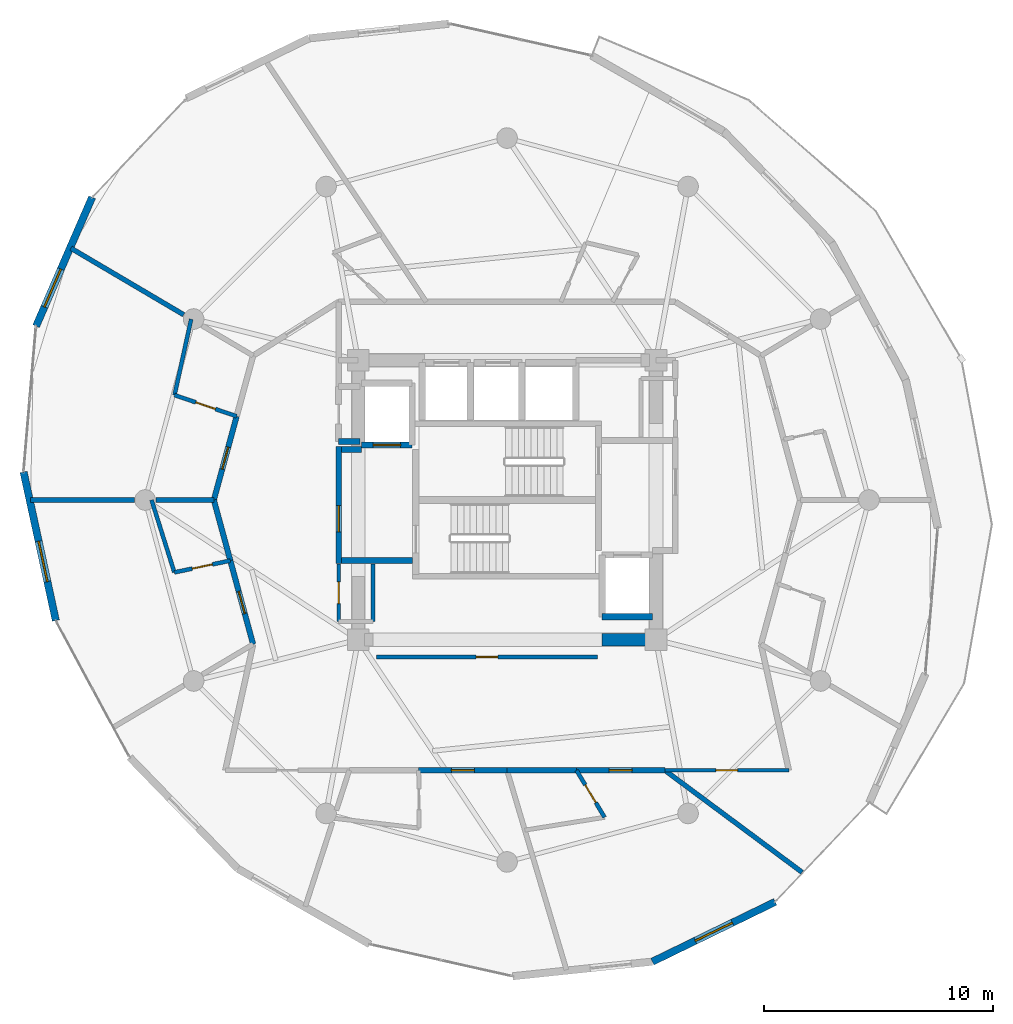
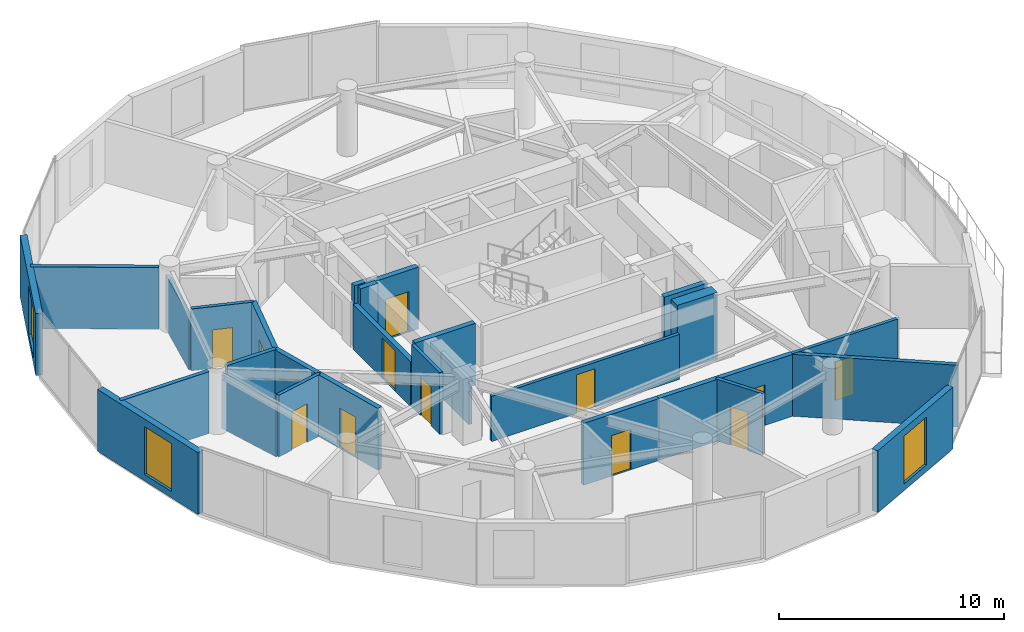
# One storey, part 18 of 23: 29 walls, 12 doors, 3 windows, 15 openings.
"""IFC4 building model written with IfcOpenShell, lengths in metres."""

from ifc_helpers import new_model, si_unit, direction, frame, frame_2d, origin, place, context, subcontext, project, spatial, rectangle, extrude, material, layer, layer_set, type_object, element, fill, save


model = new_model("IFC4")

# Units and contexts
model_context = context("Model", 3, precision=1e-05, world=origin(), true_north=direction((0.0, 1.0)))
body_context = subcontext(model_context, "Body", "Model", "MODEL_VIEW")
ifc_project = project(units=[si_unit("LENGTHUNIT", "METRE"), si_unit("AREAUNIT", "SQUARE_METRE"), si_unit("VOLUMEUNIT", "CUBIC_METRE"), si_unit("PLANEANGLEUNIT", "RADIAN"), si_unit("MASSUNIT", "GRAM", prefix="KILO")], contexts=[model_context])

# Site, building, storey
site_placement = place(None, origin())
site = spatial("IfcSite", under=ifc_project, at=site_placement, CompositionType="ELEMENT")
building_placement = place(site_placement, origin())
building = spatial("IfcBuilding", under=site, at=building_placement, Name="Solvirekh Grand Hotel", CompositionType="ELEMENT")
storey_placement = place(building_placement, frame((0.0, 0.0, 180.39990234375)))
storey = spatial("IfcBuildingStorey", under=building, at=storey_placement, Name="L46", CompositionType="ELEMENT", Elevation=180.39990234375)

# Wall, opening, door
ifc_material_1 = material(Name="Concrete C40/50", Category="concrete")
ifc_layer_1 = layer(ifc_material_1, 0.280029296875)
ifc_layer_set_1 = layer_set([ifc_layer_1], Name="Concrete C40/50")
wall_type_1 = type_object("IfcWallType", Name="CoreShaftWall_RC280", PredefinedType="SOLIDWALL", material=ifc_layer_set_1)
wall_1_placement = place(storey_placement, frame((-6.35009765625, 2.39990234375, 0.0), z_axis=(0.0, 0.0, 1.0), x_axis=(1.0, 0.0, 0.0)))
wall_1 = element("IfcWall", 1, at=wall_1_placement, inside=storey, type_object=wall_type_1, Name="L46 FL-1 hoistway S wall", PredefinedType="SOLIDWALL", context=body_context, shape_type="SweptSolid", body=[
    extrude(rectangle(XDim=2.2001953125, YDim=0.280029296875, at=frame_2d((1.10009765625, 0.0))), origin(), (0.0, 0.0, 1.0), 3.360107421875),
])
opening_1_placement = place(wall_1_placement, frame((0.5, 0.0, 0.0)))
opening_1 = element("IfcOpeningElement", 2, at=opening_1_placement, cuts=wall_1, Name="Opening LD02", PredefinedType="OPENING", context=body_context, shape_type="SweptSolid", body=[
    extrude(rectangle(XDim=1.199951171875, YDim=2.199951171875, at=frame_2d((0.60009765625, 1.10009765625))), frame((0.0, 0.14990234375, 0.0), z_axis=(0.0, -1.0, 0.0), x_axis=(1.0, 0.0, 0.0)), (0.0, 0.0, 1.0), 0.300048828125),
])
ifc_material_2 = material(Name="Fire-Rated Steel Door Assembly", Category="steel")
door_type_1 = type_object("IfcDoorType", Name="Door_LiftFF_1200X2200", OperationType="SLIDING_TO_LEFT", PredefinedType="DOOR", material=ifc_material_2)
door_1_placement = place(opening_1_placement, origin())
door_1 = element("IfcDoor", 3, at=door_1_placement, inside=storey, type_object=door_type_1, Name="L46 FL-1 sliding lift landing door", OperationType="SLIDING_TO_LEFT", OverallHeight=2.199951171875, OverallWidth=1.199951171875, PredefinedType="DOOR", context=body_context, shape_type="SweptSolid", body=[
    extrude(rectangle(XDim=1.199951171875, YDim=2.199951171875, at=frame_2d((0.60009765625, 1.10009765625))), frame((0.0, 0.02490234375, 0.0), z_axis=(0.0, -1.0, 0.0), x_axis=(1.0, 0.0, 0.0)), (0.0, 0.0, 1.0), 0.050048828125),
])
fill(opening_1, door_1)

# Walls
wall_2_placement = place(storey_placement, frame((4.14990234375, -5.10009765625, 0.0), z_axis=(0.0, 0.0, 1.0), x_axis=(1.0, 0.0, 0.0)))
element("IfcWall", 4, at=wall_2_placement, inside=storey, type_object=wall_type_1, Name="L46 FL-2 hoistway S wall", PredefinedType="SOLIDWALL", context=body_context, shape_type="SweptSolid", body=[
    extrude(rectangle(XDim=2.2001953125, YDim=0.280029296875, at=frame_2d((1.10009765625, 0.0))), origin(), (0.0, 0.0, 1.0), 3.360107421875),
])
ifc_material_3 = material(Name="Concrete C50/60", Category="concrete")
ifc_layer_2 = layer(ifc_material_3, 0.550048828125)
ifc_layer_set_2 = layer_set([ifc_layer_2], Name="Concrete C50/60")
wall_type_2 = type_object("IfcWallType", Name="CoreWall_RC550", PredefinedType="SHEAR", material=ifc_layer_set_2)
wall_3_placement = place(storey_placement, frame((4.14990234375, -6.10009765625, 0.0), z_axis=(0.0, 0.0, 1.0), x_axis=(1.0, 0.0, 0.0)))
element("IfcWall", 5, at=wall_3_placement, inside=storey, type_object=wall_type_2, Name="L46 core corner shear wall SE-S", PredefinedType="SHEAR", context=body_context, shape_type="SweptSolid", body=[
    extrude(rectangle(XDim=2.0751953125, YDim=0.550048828125, at=frame_2d((1.03759765625, 0.0))), origin(), (0.0, 0.0, 1.0), 3.60009765625),
])

# Wall, opening, window
ifc_material_4 = material(Name="Precast concrete C45/55", Category="concrete")
ifc_layer_3 = layer(ifc_material_4, 0.320068359375)
ifc_layer_set_3 = layer_set([ifc_layer_3], Name="Precast concrete C45/55")
wall_type_3 = type_object("IfcWallType", Name="ExtLobbyWall_RC320", PredefinedType="SOLIDWALL", material=ifc_layer_set_3)
wall_4_placement = place(storey_placement, frame((-20.56005859375, 7.590087890625, 0.0), z_axis=(0.0, 0.0, 1.0), x_axis=(0.398911001453, 0.916989647117, 0.0)))
wall_4 = element("IfcWall", 6, at=wall_4_placement, inside=storey, type_object=wall_type_3, Name="L46 exterior structural wall chord 12", PredefinedType="SOLIDWALL", context=body_context, shape_type="SweptSolid", body=[
    extrude(rectangle(XDim=6.1318359375, YDim=0.320068359375, at=frame_2d((3.06591796875, 0.0))), origin(), (0.0, 0.0, 1.0), 3.360107421875),
])
opening_2_placement = place(wall_4_placement, frame((0.9130859375, 0.0, 0.35009765625)))
opening_2 = element("IfcOpeningElement", 7, at=opening_2_placement, cuts=wall_4, Name="Opening W02", PredefinedType="OPENING", context=body_context, shape_type="SweptSolid", body=[
    extrude(rectangle(XDim=1.800048828125, YDim=2.60009765625, at=frame_2d((0.89990234375, 1.300048828125))), frame((0.0, 0.169921875, 0.0), z_axis=(0.0, -1.0, 0.0), x_axis=(1.0, 0.0, 0.0)), (0.0, 0.0, 1.0), 0.340087890625),
])
ifc_material_5 = material(Name="Low-E Tinted Bronze Laminated Glass", Category="aluminium")
window_type = type_object("IfcWindowType", Name="Win_LobbyExt_1800X2600", PartitioningType="SINGLE_PANEL", PredefinedType="WINDOW", material=ifc_material_5)
window_1_placement = place(opening_2_placement, origin())
window_1 = element("IfcWindow", 8, at=window_1_placement, inside=storey, type_object=window_type, Name="L46 panoramic bronze-framed window 12", OverallHeight=2.60009765625, OverallWidth=1.800048828125, PartitioningType="SINGLE_PANEL", PredefinedType="WINDOW", context=body_context, shape_type="SweptSolid", body=[
    extrude(rectangle(XDim=1.800048828125, YDim=2.60009765625, at=frame_2d((0.89990234375, 1.300048828125))), frame((0.0, 0.030029296875, 0.0), z_axis=(0.0, -1.0, 0.0), x_axis=(1.0, 0.0, 0.0)), (0.0, 0.0, 1.0), 0.06005859375),
])
fill(opening_2, window_1)

wall_5_placement = place(storey_placement, frame((-19.697998046875, -5.261962890625, 0.0), z_axis=(0.0, 0.0, 1.0), x_axis=(-0.211992849193, 0.977271217161, 0.0)))
wall_5 = element("IfcWall", 9, at=wall_5_placement, inside=storey, type_object=wall_type_3, Name="L46 exterior structural wall chord 14", PredefinedType="SOLIDWALL", context=body_context, shape_type="SweptSolid", body=[
    extrude(rectangle(XDim=6.636962890625, YDim=0.320068359375, at=frame_2d((3.318359375, 0.0))), origin(), (0.0, 0.0, 1.0), 3.360107421875),
])
opening_3_placement = place(wall_5_placement, frame((1.738037109375, 0.0, 0.35009765625)))
opening_3 = element("IfcOpeningElement", 10, at=opening_3_placement, cuts=wall_5, Name="Opening W02", PredefinedType="OPENING", context=body_context, shape_type="SweptSolid", body=[
    extrude(rectangle(XDim=1.800048828125, YDim=2.60009765625, at=frame_2d((0.89990234375, 1.300048828125))), frame((0.0, 0.169921875, 0.0), z_axis=(0.0, -1.0, 0.0), x_axis=(1.0, 0.0, 0.0)), (0.0, 0.0, 1.0), 0.340087890625),
])
window_2_placement = place(opening_3_placement, origin())
window_2 = element("IfcWindow", 11, at=window_2_placement, inside=storey, type_object=window_type, Name="L46 panoramic bronze-framed window 14", OverallHeight=2.60009765625, OverallWidth=1.800048828125, PartitioningType="SINGLE_PANEL", PredefinedType="WINDOW", context=body_context, shape_type="SweptSolid", body=[
    extrude(rectangle(XDim=1.800048828125, YDim=2.60009765625, at=frame_2d((0.89990234375, 1.300048828125))), frame((0.0, 0.030029296875, 0.0), z_axis=(0.0, -1.0, 0.0), x_axis=(1.0, 0.0, 0.0)), (0.0, 0.0, 1.0), 0.06005859375),
])
fill(opening_3, window_2)

wall_6_placement = place(storey_placement, frame((11.7080078125, -17.5419921875, 0.0), z_axis=(0.0, 0.0, 1.0), x_axis=(-0.899034471399, -0.437877858811, 0.0)))
wall_6 = element("IfcWall", 12, at=wall_6_placement, inside=storey, type_object=wall_type_3, Name="L46 exterior structural wall chord 20", PredefinedType="SOLIDWALL", context=body_context, shape_type="SweptSolid", body=[
    extrude(rectangle(XDim=5.967529296875, YDim=0.320068359375, at=frame_2d((2.98388671875, 0.0))), origin(), (0.0, 0.0, 1.0), 3.360107421875),
])
opening_4_placement = place(wall_6_placement, frame((2.083984375, 0.0, 0.35009765625)))
opening_4 = element("IfcOpeningElement", 13, at=opening_4_placement, cuts=wall_6, Name="Opening W02", PredefinedType="OPENING", context=body_context, shape_type="SweptSolid", body=[
    extrude(rectangle(XDim=1.800048828125, YDim=2.60009765625, at=frame_2d((0.89990234375, 1.300048828125))), frame((0.0, 0.169921875, 0.0), z_axis=(0.0, -1.0, 0.0), x_axis=(1.0, 0.0, 0.0)), (0.0, 0.0, 1.0), 0.340087890625),
])
window_3_placement = place(opening_4_placement, origin())
window_3 = element("IfcWindow", 14, at=window_3_placement, inside=storey, type_object=window_type, Name="L46 panoramic bronze-framed window 20", OverallHeight=2.60009765625, OverallWidth=1.800048828125, PartitioningType="SINGLE_PANEL", PredefinedType="WINDOW", context=body_context, shape_type="SweptSolid", body=[
    extrude(rectangle(XDim=1.800048828125, YDim=2.60009765625, at=frame_2d((0.89990234375, 1.300048828125))), frame((0.0, 0.030029296875, 0.0), z_axis=(0.0, -1.0, 0.0), x_axis=(1.0, 0.0, 0.0)), (0.0, 0.0, 1.0), 0.06005859375),
])
fill(opening_4, window_3)

# Wall
ifc_material_6 = material(Name="Acoustic Gypsum Partition Assembly")
ifc_layer_4 = layer(ifc_material_6, 0.1650390625)
ifc_layer_set_4 = layer_set([ifc_layer_4], Name="Acoustic Gypsum Partition Assembly")
wall_type_4 = type_object("IfcWallType", Name="Part_BOH_165", PredefinedType="PARTITIONING", material=ifc_layer_set_4)
wall_7_placement = place(storey_placement, frame((-5.85009765625, -5.300048828125, 0.0), z_axis=(0.0, 0.0, 1.0), x_axis=(0.0, 1.0, 0.0)))
element("IfcWall", 15, at=wall_7_placement, inside=storey, type_object=wall_type_4, Name="L46 L46 Core Linen Store wall 2", PredefinedType="PARTITIONING", context=body_context, shape_type="SweptSolid", body=[
    extrude(rectangle(XDim=2.5, YDim=0.1650390625, at=frame_2d((1.25, 0.0))), origin(), (0.0, 0.0, 1.0), 2.445068359375),
])

# Wall, opening, door
wall_8_placement = place(storey_placement, frame((-7.35009765625, -2.800048828125, 0.0), z_axis=(0.0, 0.0, 1.0), x_axis=(0.0, -1.0, 0.0)))
wall_8 = element("IfcWall", 16, at=wall_8_placement, inside=storey, type_object=wall_type_4, Name="L46 L46 Core Linen Store wall 4", PredefinedType="PARTITIONING", context=body_context, shape_type="SweptSolid", body=[
    extrude(rectangle(XDim=2.5, YDim=0.1650390625, at=frame_2d((1.25, 0.0))), origin(), (0.0, 0.0, 1.0), 3.360107421875),
])
opening_5_placement = place(wall_8_placement, frame((0.77490234375, 0.0, 0.0)))
opening_5 = element("IfcOpeningElement", 17, at=opening_5_placement, cuts=wall_8, Name="Opening D10", PredefinedType="OPENING", context=body_context, shape_type="SweptSolid", body=[
    extrude(rectangle(XDim=0.949951171875, YDim=2.10009765625, at=frame_2d((0.47509765625, 1.050048828125))), frame((0.0, 0.092529296875, 0.0), z_axis=(0.0, -1.0, 0.0), x_axis=(1.0, 0.0, 0.0)), (0.0, 0.0, 1.0), 0.18505859375),
])
ifc_material_7 = material(Name="Anodized Bronze Aluminium 6063-T6", Category="aluminium")
door_type_2 = type_object("IfcDoorType", Name="Door_RoomInt_950X2100", OperationType="NOTDEFINED", PredefinedType="DOOR", material=ifc_material_7)
door_2_placement = place(opening_5_placement, origin())
door_2 = element("IfcDoor", 18, at=door_2_placement, inside=storey, type_object=door_type_2, Name="L46 L46 Core Linen Store door", OperationType="SINGLE_SWING_RIGHT", OverallHeight=2.10009765625, OverallWidth=0.949951171875, PredefinedType="DOOR", context=body_context, shape_type="SweptSolid", body=[
    extrude(rectangle(XDim=0.949951171875, YDim=2.10009765625, at=frame_2d((0.47509765625, 1.050048828125))), frame((0.0, 0.02490234375, 0.0), z_axis=(0.0, -1.0, 0.0), x_axis=(1.0, 0.0, 0.0)), (0.0, 0.0, 1.0), 0.050048828125),
])
fill(opening_5, door_2)

wall_9_placement = place(storey_placement, frame((-5.699951171875, -6.85009765625, 0.0), z_axis=(0.0, 0.0, 1.0), x_axis=(1.0, 0.0, 0.0)))
wall_9 = element("IfcWall", 19, at=wall_9_placement, inside=storey, type_object=wall_type_4, Name="L46 Housekeeping & Linen Store wall 1", PredefinedType="PARTITIONING", context=body_context, shape_type="SweptSolid", body=[
    extrude(rectangle(XDim=9.64990234375, YDim=0.1650390625, at=frame_2d((4.824951171875, 0.0))), origin(), (0.0, 0.0, 1.0), 2.445068359375),
])
opening_6_placement = place(wall_9_placement, frame((4.35009765625, 0.0, 0.0)))
opening_6 = element("IfcOpeningElement", 20, at=opening_6_placement, cuts=wall_9, Name="Opening D10", PredefinedType="OPENING", context=body_context, shape_type="SweptSolid", body=[
    extrude(rectangle(XDim=0.949951171875, YDim=2.10009765625, at=frame_2d((0.47509765625, 1.050048828125))), frame((0.0, 0.092529296875, 0.0), z_axis=(0.0, -1.0, 0.0), x_axis=(1.0, 0.0, 0.0)), (0.0, 0.0, 1.0), 0.18505859375),
])
door_3_placement = place(opening_6_placement, origin())
door_3 = element("IfcDoor", 21, at=door_3_placement, inside=storey, type_object=door_type_2, Name="L46 Housekeeping & Linen Store door", OperationType="SINGLE_SWING_RIGHT", OverallHeight=2.10009765625, OverallWidth=0.949951171875, PredefinedType="DOOR", context=body_context, shape_type="SweptSolid", body=[
    extrude(rectangle(XDim=0.949951171875, YDim=2.10009765625, at=frame_2d((0.47509765625, 1.050048828125))), frame((0.0, 0.02490234375, 0.0), z_axis=(0.0, -1.0, 0.0), x_axis=(1.0, 0.0, 0.0)), (0.0, 0.0, 1.0), 0.050048828125),
])
fill(opening_6, door_3)

wall_10_placement = place(storey_placement, frame((6.887939453125, -11.800048828125, 0.0), z_axis=(0.0, 0.0, 1.0), x_axis=(1.0, 0.0, 0.0)))
wall_10 = element("IfcWall", 22, at=wall_10_placement, inside=storey, type_object=wall_type_4, Name="L46 L46 Butler Valet & Linen Steward Room entrance wall", PredefinedType="PARTITIONING", context=body_context, shape_type="SweptSolid", body=[
    extrude(rectangle(XDim=5.412109375, YDim=0.1650390625, at=frame_2d((2.7060546875, 0.0))), origin(), (0.0, 0.0, 1.0), 3.360107421875),
])
opening_7_placement = place(wall_10_placement, frame((2.23095703125, 0.0, 0.0)))
opening_7 = element("IfcOpeningElement", 23, at=opening_7_placement, cuts=wall_10, Name="Opening D10", PredefinedType="OPENING", context=body_context, shape_type="SweptSolid", body=[
    extrude(rectangle(XDim=0.949951171875, YDim=2.10009765625, at=frame_2d((0.47509765625, 1.050048828125))), frame((0.0, 0.092529296875, 0.0), z_axis=(0.0, -1.0, 0.0), x_axis=(1.0, 0.0, 0.0)), (0.0, 0.0, 1.0), 0.18505859375),
])
door_4_placement = place(opening_7_placement, origin())
door_4 = element("IfcDoor", 24, at=door_4_placement, inside=storey, type_object=door_type_2, Name="L46 L46 Butler Valet & Linen Steward Room entrance door", OperationType="SINGLE_SWING_LEFT", OverallHeight=2.10009765625, OverallWidth=0.949951171875, PredefinedType="DOOR", context=body_context, shape_type="SweptSolid", body=[
    extrude(rectangle(XDim=0.949951171875, YDim=2.10009765625, at=frame_2d((0.47509765625, 1.050048828125))), frame((0.0, 0.02490234375, 0.0), z_axis=(0.0, -1.0, 0.0), x_axis=(1.0, 0.0, 0.0)), (0.0, 0.0, 1.0), 0.050048828125),
])
fill(opening_7, door_4)

ifc_layer_5 = layer(ifc_material_6, 0.239990234375)
ifc_layer_set_5 = layer_set([ifc_layer_5], Name="Acoustic Gypsum Partition Assembly")
wall_type_5 = type_object("IfcWallType", Name="Part_Corridor_240", PredefinedType="PARTITIONING", material=ifc_layer_set_5)
wall_11_placement = place(storey_placement, frame((-7.35009765625, -2.780029296875, 0.0), z_axis=(0.0, 0.0, 1.0), x_axis=(0.0, 1.0, 0.0)))
wall_11 = element("IfcWall", 25, at=wall_11_placement, inside=storey, type_object=wall_type_5, Name="L46 west firefighting lobby smoke screen wall", PredefinedType="PARTITIONING", context=body_context, shape_type="SweptSolid", body=[
    extrude(rectangle(XDim=5.1201171875, YDim=0.239990234375, at=frame_2d((2.56005859375, 0.0))), origin(), (0.0, 0.0, 1.0), 2.445068359375),
])
opening_8_placement = place(wall_11_placement, frame((1.388916015625, 0.0, 0.0)))
opening_8 = element("IfcOpeningElement", 26, at=opening_8_placement, cuts=wall_11, Name="Opening D06", PredefinedType="OPENING", context=body_context, shape_type="SweptSolid", body=[
    extrude(rectangle(XDim=1.14990234375, YDim=2.199951171875, at=frame_2d((0.574951171875, 1.10009765625))), frame((0.0, 0.1298828125, 0.0), z_axis=(0.0, -1.0, 0.0), x_axis=(1.0, 0.0, 0.0)), (0.0, 0.0, 1.0), 0.260009765625),
])
door_type_3 = type_object("IfcDoorType", Name="Door_FFLobby_1150X2200", OperationType="NOTDEFINED", PredefinedType="DOOR", material=ifc_material_2)
door_5_placement = place(opening_8_placement, origin())
door_5 = element("IfcDoor", 27, at=door_5_placement, inside=storey, type_object=door_type_3, Name="L46 west firefighting lobby smoke door", OperationType="SINGLE_SWING_LEFT", OverallHeight=2.199951171875, OverallWidth=1.14990234375, PredefinedType="DOOR", context=body_context, shape_type="SweptSolid", body=[
    extrude(rectangle(XDim=1.14990234375, YDim=2.199951171875, at=frame_2d((0.574951171875, 1.10009765625))), frame((0.0, 0.02490234375, 0.0), z_axis=(0.0, -1.0, 0.0), x_axis=(1.0, 0.0, 0.0)), (0.0, 0.0, 1.0), 0.050048828125),
])
fill(opening_8, door_5)

wall_12_placement = place(storey_placement, frame((-11.804931640625, 3.654052734375, 0.0), z_axis=(0.0, 0.0, 1.0), x_axis=(-0.262762825819, -0.964860454868, 0.0)))
wall_12 = element("IfcWall", 28, at=wall_12_placement, inside=storey, type_object=wall_type_5, Name="L46 Deluxe Guestroom 4803 entrance wall", PredefinedType="PARTITIONING", context=body_context, shape_type="SweptSolid", body=[
    extrude(rectangle(XDim=3.787109375, YDim=0.239990234375, at=frame_2d((1.8935546875, 0.0))), origin(), (0.0, 0.0, 1.0), 3.360107421875),
])
opening_9_placement = place(wall_12_placement, frame((1.39404296875, 0.0, 0.0)))
opening_9 = element("IfcOpeningElement", 29, at=opening_9_placement, cuts=wall_12, Name="Opening D07", PredefinedType="OPENING", context=body_context, shape_type="SweptSolid", body=[
    extrude(rectangle(XDim=1.0, YDim=2.199951171875, at=frame_2d((0.5, 1.10009765625))), frame((0.0, 0.1298828125, 0.0), z_axis=(0.0, -1.0, 0.0), x_axis=(1.0, 0.0, 0.0)), (0.0, 0.0, 1.0), 0.260009765625),
])
door_type_4 = type_object("IfcDoorType", Name="Door_GuestEntry_1000X2200", OperationType="NOTDEFINED", PredefinedType="DOOR", material=ifc_material_2)
door_6_placement = place(opening_9_placement, origin())
door_6 = element("IfcDoor", 30, at=door_6_placement, inside=storey, type_object=door_type_4, Name="L46 Deluxe Guestroom 4803 entrance door", OperationType="SINGLE_SWING_LEFT", OverallHeight=2.199951171875, OverallWidth=1.0, PredefinedType="DOOR", context=body_context, shape_type="SweptSolid", body=[
    extrude(rectangle(XDim=1.0, YDim=2.199951171875, at=frame_2d((0.5, 1.10009765625))), frame((0.0, 0.02490234375, 0.0), z_axis=(0.0, -1.0, 0.0), x_axis=(1.0, 0.0, 0.0)), (0.0, 0.0, 1.0), 0.050048828125),
])
fill(opening_9, door_6)

# Wall
wall_13_placement = place(storey_placement, frame((-12.800048828125, 0.0, 0.0), z_axis=(0.0, 0.0, 1.0), x_axis=(0.262552356383, -0.964917747872, 0.0)))
element("IfcWall", 31, at=wall_13_placement, inside=storey, type_object=wall_type_5, Name="L46 En-suite Bathroom 4804 corridor backing wall", PredefinedType="PARTITIONING", context=body_context, shape_type="SweptSolid", body=[
    extrude(rectangle(XDim=2.7421875, YDim=0.239990234375, at=frame_2d((1.37109375, 0.0))), origin(), (0.0, 0.0, 1.0), 3.360107421875),
])

# Wall, opening, door
wall_14_placement = place(storey_placement, frame((-12.080078125, -2.64599609375, 0.0), z_axis=(0.0, 0.0, 1.0), x_axis=(0.262762825819, -0.964860454868, 0.0)))
wall_14 = element("IfcWall", 32, at=wall_14_placement, inside=storey, type_object=wall_type_5, Name="L46 Deluxe Guestroom 4804 entrance wall", PredefinedType="PARTITIONING", context=body_context, shape_type="SweptSolid", body=[
    extrude(rectangle(XDim=3.787109375, YDim=0.239990234375, at=frame_2d((1.8935546875, 0.0))), origin(), (0.0, 0.0, 1.0), 3.360107421875),
])
opening_10_placement = place(wall_14_placement, frame((1.39404296875, 0.0, 0.0)))
opening_10 = element("IfcOpeningElement", 33, at=opening_10_placement, cuts=wall_14, Name="Opening D07", PredefinedType="OPENING", context=body_context, shape_type="SweptSolid", body=[
    extrude(rectangle(XDim=1.0, YDim=2.199951171875, at=frame_2d((0.5, 1.10009765625))), frame((0.0, 0.1298828125, 0.0), z_axis=(0.0, -1.0, 0.0), x_axis=(1.0, 0.0, 0.0)), (0.0, 0.0, 1.0), 0.260009765625),
])
door_7_placement = place(opening_10_placement, origin())
door_7 = element("IfcDoor", 34, at=door_7_placement, inside=storey, type_object=door_type_4, Name="L46 Deluxe Guestroom 4804 entrance door", OperationType="SINGLE_SWING_LEFT", OverallHeight=2.199951171875, OverallWidth=1.0, PredefinedType="DOOR", context=body_context, shape_type="SweptSolid", body=[
    extrude(rectangle(XDim=1.0, YDim=2.199951171875, at=frame_2d((0.5, 1.10009765625))), frame((0.0, 0.02490234375, 0.0), z_axis=(0.0, -1.0, 0.0), x_axis=(1.0, 0.0, 0.0)), (0.0, 0.0, 1.0), 0.050048828125),
])
fill(opening_10, door_7)

wall_15_placement = place(storey_placement, frame((-3.85693359375, -11.800048828125, 0.0), z_axis=(0.0, 0.0, 1.0), x_axis=(1.0, 0.0, 0.0)))
wall_15 = element("IfcWall", 35, at=wall_15_placement, inside=storey, type_object=wall_type_5, Name="L46 Deluxe Guestroom 4807 entrance wall", PredefinedType="PARTITIONING", context=body_context, shape_type="SweptSolid", body=[
    extrude(rectangle(XDim=3.85693359375, YDim=0.239990234375, at=frame_2d((1.928466796875, 0.0))), origin(), (0.0, 0.0, 1.0), 3.360107421875),
])
opening_11_placement = place(wall_15_placement, frame((1.428955078125, 0.0, 0.0)))
opening_11 = element("IfcOpeningElement", 36, at=opening_11_placement, cuts=wall_15, Name="Opening D07", PredefinedType="OPENING", context=body_context, shape_type="SweptSolid", body=[
    extrude(rectangle(XDim=1.0, YDim=2.199951171875, at=frame_2d((0.5, 1.10009765625))), frame((0.0, 0.1298828125, 0.0), z_axis=(0.0, -1.0, 0.0), x_axis=(1.0, 0.0, 0.0)), (0.0, 0.0, 1.0), 0.260009765625),
])
door_8_placement = place(opening_11_placement, origin())
door_8 = element("IfcDoor", 37, at=door_8_placement, inside=storey, type_object=door_type_4, Name="L46 Deluxe Guestroom 4807 entrance door", OperationType="SINGLE_SWING_RIGHT", OverallHeight=2.199951171875, OverallWidth=1.0, PredefinedType="DOOR", context=body_context, shape_type="SweptSolid", body=[
    extrude(rectangle(XDim=1.0, YDim=2.199951171875, at=frame_2d((0.5, 1.10009765625))), frame((0.0, 0.02490234375, 0.0), z_axis=(0.0, -1.0, 0.0), x_axis=(1.0, 0.0, 0.0)), (0.0, 0.0, 1.0), 0.050048828125),
])
fill(opening_11, door_8)

# Wall
wall_16_placement = place(storey_placement, frame((0.0, -11.800048828125, 0.0), z_axis=(0.0, 0.0, 1.0), x_axis=(1.0, 0.0, 0.0)))
element("IfcWall", 38, at=wall_16_placement, inside=storey, type_object=wall_type_5, Name="L46 En-suite Bathroom 4808 corridor backing wall", PredefinedType="PARTITIONING", context=body_context, shape_type="SweptSolid", body=[
    extrude(rectangle(XDim=3.031005859375, YDim=0.239990234375, at=frame_2d((1.515625, 0.0))), origin(), (0.0, 0.0, 1.0), 3.360107421875),
])

# Wall, opening, door
wall_17_placement = place(storey_placement, frame((3.031005859375, -11.800048828125, 0.0), z_axis=(0.0, 0.0, 1.0), x_axis=(1.0, 0.0, 0.0)))
wall_17 = element("IfcWall", 39, at=wall_17_placement, inside=storey, type_object=wall_type_5, Name="L46 Deluxe Guestroom 4808 entrance wall", PredefinedType="PARTITIONING", context=body_context, shape_type="SweptSolid", body=[
    extrude(rectangle(XDim=3.85693359375, YDim=0.239990234375, at=frame_2d((1.928466796875, 0.0))), origin(), (0.0, 0.0, 1.0), 3.360107421875),
])
opening_12_placement = place(wall_17_placement, frame((1.427978515625, 0.0, 0.0)))
opening_12 = element("IfcOpeningElement", 40, at=opening_12_placement, cuts=wall_17, Name="Opening D07", PredefinedType="OPENING", context=body_context, shape_type="SweptSolid", body=[
    extrude(rectangle(XDim=1.0, YDim=2.199951171875, at=frame_2d((0.5, 1.10009765625))), frame((0.0, 0.1298828125, 0.0), z_axis=(0.0, -1.0, 0.0), x_axis=(1.0, 0.0, 0.0)), (0.0, 0.0, 1.0), 0.260009765625),
])
door_9_placement = place(opening_12_placement, origin())
door_9 = element("IfcDoor", 41, at=door_9_placement, inside=storey, type_object=door_type_4, Name="L46 Deluxe Guestroom 4808 entrance door", OperationType="SINGLE_SWING_RIGHT", OverallHeight=2.199951171875, OverallWidth=1.0, PredefinedType="DOOR", context=body_context, shape_type="SweptSolid", body=[
    extrude(rectangle(XDim=1.0, YDim=2.199951171875, at=frame_2d((0.5, 1.10009765625))), frame((0.0, 0.02490234375, 0.0), z_axis=(0.0, -1.0, 0.0), x_axis=(1.0, 0.0, 0.0)), (0.0, 0.0, 1.0), 0.050048828125),
])
fill(opening_12, door_9)

# Walls
ifc_layer_6 = layer(ifc_material_6, 0.260009765625)
ifc_layer_set_6 = layer_set([ifc_layer_6], Name="Acoustic Gypsum Partition Assembly")
wall_type_6 = type_object("IfcWallType", Name="Part_LobbyFF_260", PredefinedType="PARTITIONING", material=ifc_layer_set_6)
wall_18_placement = place(storey_placement, frame((-7.22509765625, -2.64990234375, 0.0), z_axis=(0.0, 0.0, 1.0), x_axis=(1.0, 0.0, 0.0)))
element("IfcWall", 42, at=wall_18_placement, inside=storey, type_object=wall_type_6, Name="L46 west firefighting lobby south partition", PredefinedType="PARTITIONING", context=body_context, shape_type="SweptSolid", body=[
    extrude(rectangle(XDim=3.09521484375, YDim=0.260009765625, at=frame_2d((1.547607421875, 0.0))), origin(), (0.0, 0.0, 1.0), 3.360107421875),
])
wall_19_placement = place(storey_placement, frame((-7.22509765625, 2.2099609375, 0.0), z_axis=(0.0, 0.0, 1.0), x_axis=(1.0, 0.0, 0.0)))
element("IfcWall", 43, at=wall_19_placement, inside=storey, type_object=wall_type_6, Name="L46 west firefighting lobby NW cheek", PredefinedType="PARTITIONING", context=body_context, shape_type="SweptSolid", body=[
    extrude(rectangle(XDim=0.875, YDim=0.260009765625, at=frame_2d((0.4375, 0.0))), origin(), (0.0, 0.0, 1.0), 3.360107421875),
])
wall_20_placement = place(storey_placement, frame((-7.35009765625, 2.550048828125, 0.0), z_axis=(0.0, 0.0, 1.0), x_axis=(1.0, 0.0, 0.0)))
element("IfcWall", 44, at=wall_20_placement, inside=storey, type_object=wall_type_6, Name="L46 NW telecom metering cupboard south wall", PredefinedType="PARTITIONING", context=body_context, shape_type="SweptSolid", body=[
    extrude(rectangle(XDim=0.93017578125, YDim=0.260009765625, at=frame_2d((0.465087890625, 0.0))), origin(), (0.0, 0.0, 1.0), 3.360107421875),
])
ifc_layer_7 = layer(ifc_material_6, 0.2099609375)
ifc_layer_set_7 = layer_set([ifc_layer_7], Name="Acoustic Gypsum Partition Assembly")
wall_type_7 = type_object("IfcWallType", Name="Part_SuiteDemise_210", PredefinedType="PARTITIONING", material=ifc_layer_set_7)
wall_21_placement = place(storey_placement, frame((-14.114013671875, 8.0869140625, 0.0), z_axis=(0.0, 0.0, 1.0), x_axis=(-0.861313184314, 0.50807440255, 0.0)))
element("IfcWall", 45, at=wall_21_placement, inside=storey, type_object=wall_type_7, Name="L46 suite radial wall 6 (B)", PredefinedType="PARTITIONING", context=body_context, shape_type="SweptSolid", body=[
    extrude(rectangle(XDim=5.7158203125, YDim=0.2099609375, at=frame_2d((2.85791015625, 0.0))), origin(), (0.0, 0.0, 1.0), 3.360107421875),
])
wall_22_placement = place(storey_placement, frame((-12.800048828125, 0.0, 0.0), z_axis=(0.0, 0.0, 1.0), x_axis=(-1.0, 0.0, 0.0)))
element("IfcWall", 46, at=wall_22_placement, inside=storey, type_object=wall_type_7, Name="L46 suite radial wall 7 (A)", PredefinedType="PARTITIONING", context=body_context, shape_type="SweptSolid", body=[
    extrude(rectangle(XDim=2.530029296875, YDim=0.2099609375, at=frame_2d((1.26513671875, 0.0))), origin(), (0.0, 0.0, 1.0), 3.360107421875),
])
wall_23_placement = place(storey_placement, frame((-16.27001953125, 0.0, 0.0), z_axis=(0.0, 0.0, 1.0), x_axis=(-1.0, 0.0, 0.0)))
element("IfcWall", 47, at=wall_23_placement, inside=storey, type_object=wall_type_7, Name="L46 suite radial wall 7 (B)", PredefinedType="PARTITIONING", context=body_context, shape_type="SweptSolid", body=[
    extrude(rectangle(XDim=4.529052734375, YDim=0.2099609375, at=frame_2d((2.2646484375, 0.0))), origin(), (0.0, 0.0, 1.0), 3.360107421875),
])
wall_24_placement = place(storey_placement, frame((6.887939453125, -11.800048828125, 0.0), z_axis=(0.0, 0.0, 1.0), x_axis=(0.802774719759, -0.596282440892, 0.0)))
element("IfcWall", 48, at=wall_24_placement, inside=storey, type_object=wall_type_7, Name="L46 Deluxe Guestroom 4808 dividing partition 1", PredefinedType="PARTITIONING", context=body_context, shape_type="SweptSolid", body=[
    extrude(rectangle(XDim=7.462890625, YDim=0.2099609375, at=frame_2d((3.7314453125, 0.0))), origin(), (0.0, 0.0, 1.0), 3.360107421875),
])
ifc_layer_8 = layer(ifc_material_6, 0.175048828125)
ifc_layer_set_8 = layer_set([ifc_layer_8], Name="Acoustic Gypsum Partition Assembly")
wall_type_8 = type_object("IfcWallType", Name="Plumb_Ensuite_175", PredefinedType="PLUMBINGWALL", material=ifc_layer_set_8)
wall_25_placement = place(storey_placement, frame((-13.7890625, 7.89501953125, 0.0), z_axis=(0.0, 0.0, 1.0), x_axis=(-0.213829865727, -0.976870917022, 0.0)))
element("IfcWall", 49, at=wall_25_placement, inside=storey, type_object=wall_type_8, Name="L46 En-suite Bathroom 4803 outer plumbing wall", PredefinedType="PLUMBINGWALL", context=body_context, shape_type="SweptSolid", body=[
    extrude(rectangle(XDim=3.39453125, YDim=0.175048828125, at=frame_2d((1.697265625, 0.0))), origin(), (0.0, 0.0, 1.0), 2.92919921875),
])

# Wall, opening, door
wall_26_placement = place(storey_placement, frame((-11.804931640625, 3.654052734375, 0.0), z_axis=(0.0, 0.0, 1.0), x_axis=(-0.946382283588, 0.323048871398, 0.0)))
wall_26 = element("IfcWall", 50, at=wall_26_placement, inside=storey, type_object=wall_type_8, Name="L46 En-suite Bathroom 4803 entry plumbing wall", PredefinedType="PLUMBINGWALL", context=body_context, shape_type="SweptSolid", body=[
    extrude(rectangle(XDim=2.863525390625, YDim=0.175048828125, at=frame_2d((1.431640625, 0.0))), origin(), (0.0, 0.0, 1.0), 3.360107421875),
])
opening_13_placement = place(wall_26_placement, frame((0.98193359375, 0.0, 0.0)))
opening_13 = element("IfcOpeningElement", 51, at=opening_13_placement, cuts=wall_26, Name="Opening D09", PredefinedType="OPENING", context=body_context, shape_type="SweptSolid", body=[
    extrude(rectangle(XDim=0.89990234375, YDim=2.10009765625, at=frame_2d((0.449951171875, 1.050048828125))), frame((0.0, 0.09765625, 0.0), z_axis=(0.0, -1.0, 0.0), x_axis=(1.0, 0.0, 0.0)), (0.0, 0.0, 1.0), 0.195068359375),
])
door_type_5 = type_object("IfcDoorType", Name="Door_Ensuite_900X2100", OperationType="NOTDEFINED", PredefinedType="DOOR", material=ifc_material_7)
door_10_placement = place(opening_13_placement, origin())
door_10 = element("IfcDoor", 52, at=door_10_placement, inside=storey, type_object=door_type_5, Name="L46 En-suite Bathroom 4803 door", OperationType="SINGLE_SWING_RIGHT", OverallHeight=2.10009765625, OverallWidth=0.89990234375, PredefinedType="DOOR", context=body_context, shape_type="SweptSolid", body=[
    extrude(rectangle(XDim=0.89990234375, YDim=2.10009765625, at=frame_2d((0.449951171875, 1.050048828125))), frame((0.0, 0.02490234375, 0.0), z_axis=(0.0, -1.0, 0.0), x_axis=(1.0, 0.0, 0.0)), (0.0, 0.0, 1.0), 0.050048828125),
])
fill(opening_13, door_10)

# Wall
wall_27_placement = place(storey_placement, frame((-15.52001953125, 0.0, 0.0), z_axis=(0.0, 0.0, 1.0), x_axis=(0.300912730095, -0.953651681101, 0.0)))
element("IfcWall", 53, at=wall_27_placement, inside=storey, type_object=wall_type_8, Name="L46 En-suite Bathroom 4804 outer plumbing wall", PredefinedType="PLUMBINGWALL", context=body_context, shape_type="SweptSolid", body=[
    extrude(rectangle(XDim=3.3134765625, YDim=0.175048828125, at=frame_2d((1.65673828125, 0.0))), origin(), (0.0, 0.0, 1.0), 2.92919921875),
])

# Wall, opening, door
wall_28_placement = place(storey_placement, frame((-12.080078125, -2.64599609375, 0.0), z_axis=(0.0, 0.0, 1.0), x_axis=(-0.978579866642, -0.205867541403, 0.0)))
wall_28 = element("IfcWall", 54, at=wall_28_placement, inside=storey, type_object=wall_type_8, Name="L46 En-suite Bathroom 4804 entry plumbing wall", PredefinedType="PLUMBINGWALL", context=body_context, shape_type="SweptSolid", body=[
    extrude(rectangle(XDim=2.496337890625, YDim=0.175048828125, at=frame_2d((1.248046875, 0.0))), origin(), (0.0, 0.0, 1.0), 3.360107421875),
])
opening_14_placement = place(wall_28_placement, frame((0.798095703125, 0.0, 0.0)))
opening_14 = element("IfcOpeningElement", 55, at=opening_14_placement, cuts=wall_28, Name="Opening D09", PredefinedType="OPENING", context=body_context, shape_type="SweptSolid", body=[
    extrude(rectangle(XDim=0.89990234375, YDim=2.10009765625, at=frame_2d((0.449951171875, 1.050048828125))), frame((0.0, 0.09765625, 0.0), z_axis=(0.0, -1.0, 0.0), x_axis=(1.0, 0.0, 0.0)), (0.0, 0.0, 1.0), 0.195068359375),
])
door_11_placement = place(opening_14_placement, origin())
door_11 = element("IfcDoor", 56, at=door_11_placement, inside=storey, type_object=door_type_5, Name="L46 En-suite Bathroom 4804 door", OperationType="SINGLE_SWING_RIGHT", OverallHeight=2.10009765625, OverallWidth=0.89990234375, PredefinedType="DOOR", context=body_context, shape_type="SweptSolid", body=[
    extrude(rectangle(XDim=0.89990234375, YDim=2.10009765625, at=frame_2d((0.449951171875, 1.050048828125))), frame((0.0, 0.02490234375, 0.0), z_axis=(0.0, -1.0, 0.0), x_axis=(1.0, 0.0, 0.0)), (0.0, 0.0, 1.0), 0.050048828125),
])
fill(opening_14, door_11)

wall_29_placement = place(storey_placement, frame((3.031005859375, -11.800048828125, 0.0), z_axis=(0.0, 0.0, 1.0), x_axis=(0.513277784821, -0.858222532685, 0.0)))
wall_29 = element("IfcWall", 57, at=wall_29_placement, inside=storey, type_object=wall_type_8, Name="L46 En-suite Bathroom 4808 entry plumbing wall", PredefinedType="PLUMBINGWALL", context=body_context, shape_type="SweptSolid", body=[
    extrude(rectangle(XDim=2.388671875, YDim=0.175048828125, at=frame_2d((1.1943359375, 0.0))), origin(), (0.0, 0.0, 1.0), 3.360107421875),
])
opening_15_placement = place(wall_29_placement, frame((0.743896484375, 0.0, 0.0)))
opening_15 = element("IfcOpeningElement", 58, at=opening_15_placement, cuts=wall_29, Name="Opening D09", PredefinedType="OPENING", context=body_context, shape_type="SweptSolid", body=[
    extrude(rectangle(XDim=0.89990234375, YDim=2.10009765625, at=frame_2d((0.449951171875, 1.050048828125))), frame((0.0, 0.09765625, 0.0), z_axis=(0.0, -1.0, 0.0), x_axis=(1.0, 0.0, 0.0)), (0.0, 0.0, 1.0), 0.195068359375),
])
door_12_placement = place(opening_15_placement, origin())
door_12 = element("IfcDoor", 59, at=door_12_placement, inside=storey, type_object=door_type_5, Name="L46 En-suite Bathroom 4808 door", OperationType="SINGLE_SWING_LEFT", OverallHeight=2.10009765625, OverallWidth=0.89990234375, PredefinedType="DOOR", context=body_context, shape_type="SweptSolid", body=[
    extrude(rectangle(XDim=0.89990234375, YDim=2.10009765625, at=frame_2d((0.449951171875, 1.050048828125))), frame((0.0, 0.02490234375, 0.0), z_axis=(0.0, -1.0, 0.0), x_axis=(1.0, 0.0, 0.0)), (0.0, 0.0, 1.0), 0.050048828125),
])
fill(opening_15, door_12)

save(model, "model.ifc")
